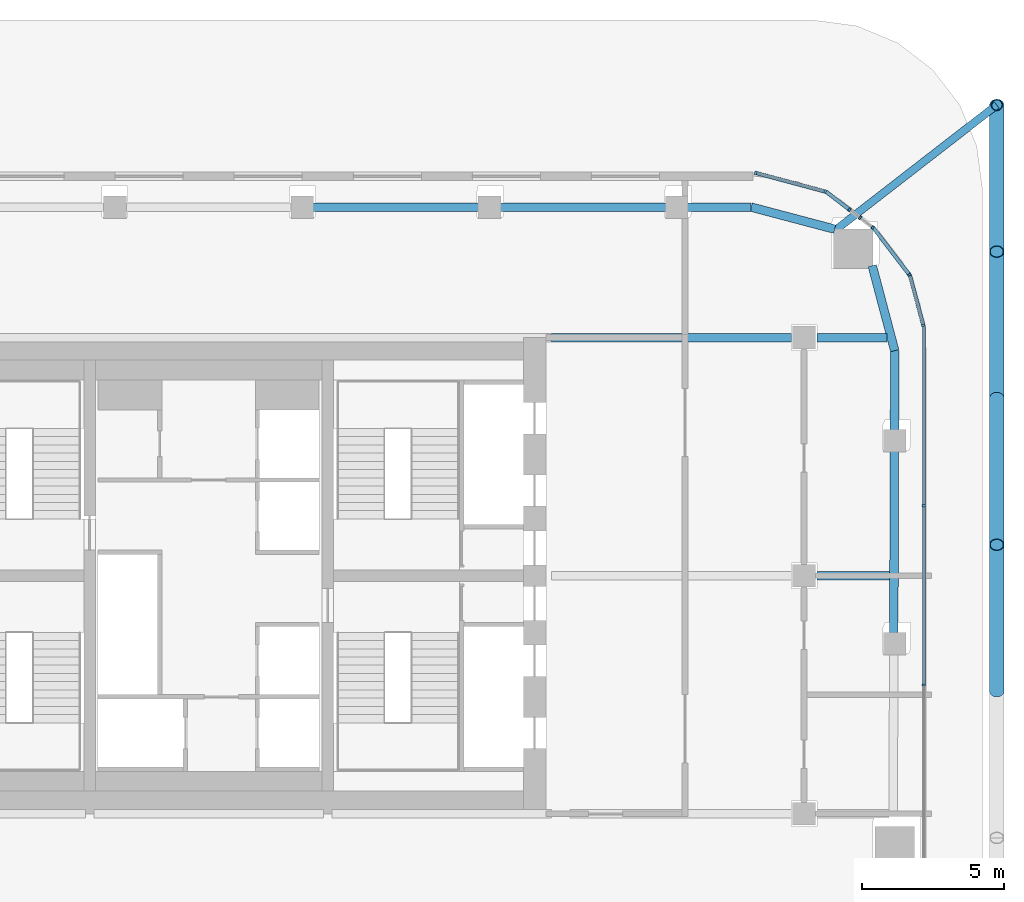
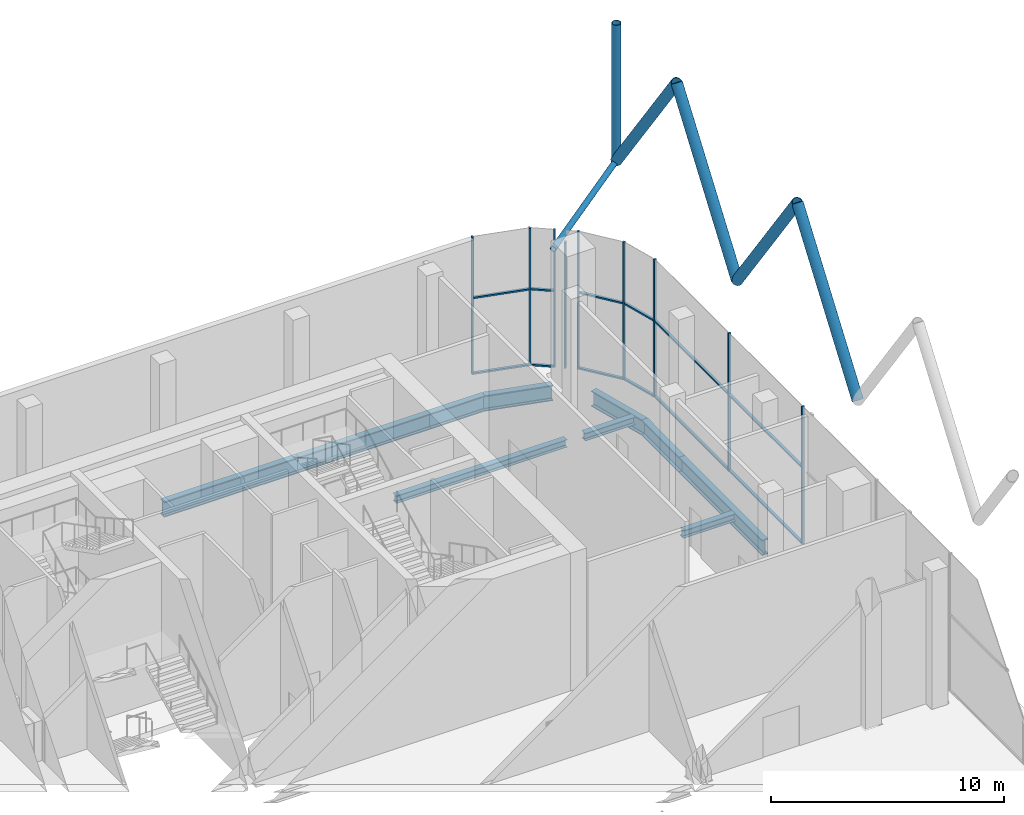
# One storey, part 10 of 25: 27 members, 10 beams, 7 elements without a shape of their own.
"""IFC4 building model written with IfcOpenShell, lengths in metres."""

from ifc_helpers import new_model, si_unit, direction, frame, origin, origin_2d, place, context, subcontext, project, spatial, rectangle, hollow_circle, i_section, extrude, material, layer, layer_set, material_profile, profile_set, type_object, element, aggregate, save


model = new_model("IFC4")

# Units and contexts
model_context = context("Model", 3, precision=1e-05, world=origin(), true_north=direction((0.0, 1.0)))
body_context = subcontext(model_context, "Body", "Model", "MODEL_VIEW")
ifc_project = project(units=[si_unit("LENGTHUNIT", "METRE"), si_unit("AREAUNIT", "SQUARE_METRE"), si_unit("VOLUMEUNIT", "CUBIC_METRE"), si_unit("PLANEANGLEUNIT", "RADIAN"), si_unit("MASSUNIT", "GRAM", prefix="KILO")], contexts=[model_context])

# Site, building, storey
site_placement = place(None, origin())
site = spatial("IfcSite", under=ifc_project, at=site_placement, CompositionType="ELEMENT")
building_placement = place(site_placement, origin())
building = spatial("IfcBuilding", under=site, at=building_placement, Name="Marenta Gate Hotel Tower", CompositionType="ELEMENT")
storey_placement = place(building_placement, frame((0.0, 0.0, 180.5)))
storey = spatial("IfcBuildingStorey", under=building, at=storey_placement, Name="L41", CompositionType="ELEMENT", Elevation=180.5)

# Members
ifc_material_1 = material(Name="Steel S355J2W", Category="steel")
ifc_material_profile_1 = material_profile(ifc_material_1, hollow_circle(Radius=0.203125, WallThickness=0.02490234375, at=origin_2d()), Name="CHS 406.4x25")
ifc_profile_set_1 = profile_set([ifc_material_profile_1], Name="Steel S355J2W")
member_type_1 = type_object("IfcMemberType", Name="Diagrid corner post Z3 CHS 406.4x25", PredefinedType="POST", material=ifc_profile_set_1)
member_1_placement = place(storey_placement, frame((27.800048828125, 25.0, 6.739990234375), z_axis=(0.0, 0.0, 1.0), x_axis=(1.0, 0.0, 0.0)))
element("IfcMember", 1, at=member_1_placement, inside=storey, type_object=member_type_1, Name="L41-DR-1", PredefinedType="POST", context=body_context, shape_type="SweptSolid", body=[
    extrude(hollow_circle(Radius=0.203125, WallThickness=0.02490234375, at=origin_2d()), origin(), (0.0, 0.0, 1.0), 7.199951171875),
])
ifc_material_2 = material(Name="Steel S355J2W", Category="steel")
ifc_material_profile_2 = material_profile(ifc_material_2, hollow_circle(Radius=0.25390625, WallThickness=0.02490234375, at=origin_2d()), Name="CHS 508x25")
ifc_profile_set_2 = profile_set([ifc_material_profile_2], Name="Steel S355J2W")
member_type_2 = type_object("IfcMemberType", Name="Diagrid diagonal Z3 CHS 508x25", PredefinedType="BRACE", material=ifc_profile_set_2)
member_2_placement = place(storey_placement, frame((27.800048828125, 25.0, 6.739990234375), z_axis=(0.0, -0.583260841117, 0.812284919975), x_axis=(1.0, 0.0, 0.0)))
element("IfcMember", 2, at=member_2_placement, inside=storey, type_object=member_type_2, Name="L41-DG-1", PredefinedType="BRACE", context=body_context, shape_type="SweptSolid", body=[
    extrude(hollow_circle(Radius=0.25390625, WallThickness=0.02490234375, at=origin_2d()), origin(), (0.0, 0.0, 1.0), 8.86376953125),
])
member_3_placement = place(storey_placement, frame((27.800048828125, 14.659912109375, 6.739990234375), z_axis=(0.0, 0.583279014058, 0.812271870595), x_axis=(-1.0, 0.0, 0.0)))
element("IfcMember", 3, at=member_3_placement, inside=storey, type_object=member_type_2, Name="L41-DG-2", PredefinedType="BRACE", context=body_context, shape_type="SweptSolid", body=[
    extrude(hollow_circle(Radius=0.25390625, WallThickness=0.02490234375, at=origin_2d()), origin(), (0.0, 0.0, 1.0), 8.864013671875),
])
member_4_placement = place(storey_placement, frame((27.800048828125, 14.659912109375, 6.739990234375), z_axis=(0.0, -0.583260841117, 0.812284919975), x_axis=(1.0, 0.0, 0.0)))
element("IfcMember", 4, at=member_4_placement, inside=storey, type_object=member_type_2, Name="L41-DG-3", PredefinedType="BRACE", context=body_context, shape_type="SweptSolid", body=[
    extrude(hollow_circle(Radius=0.25390625, WallThickness=0.02490234375, at=origin_2d()), origin(), (0.0, 0.0, 1.0), 8.86376953125),
])
member_5_placement = place(storey_placement, frame((27.800048828125, 4.31982421875, 6.739990234375), z_axis=(0.0, 0.583279014058, 0.812271870595), x_axis=(-1.0, 0.0, 0.0)))
element("IfcMember", 5, at=member_5_placement, inside=storey, type_object=member_type_2, Name="L41-DG-4", PredefinedType="BRACE", context=body_context, shape_type="SweptSolid", body=[
    extrude(hollow_circle(Radius=0.25390625, WallThickness=0.02490234375, at=origin_2d()), origin(), (0.0, 0.0, 1.0), 8.864013671875),
])

# Beams
ifc_material_3 = material(Name="Steel S355", Category="steel")
ifc_material_profile_3 = material_profile(ifc_material_3, i_section(OverallWidth=0.302978515625, OverallDepth=0.81396484375, WebThickness=0.030029296875, FlangeThickness=0.052001953125, FilletRadius=0.030029296875, at=origin_2d()), Name="HEM 800")
ifc_profile_set_3 = profile_set([ifc_material_profile_3], Name="Steel S355")
beam_type_1 = type_object("IfcBeamType", Name="Edge beam HEM 800", PredefinedType="SPANDREL", material=ifc_profile_set_3)
beam_1_placement = place(storey_placement, frame((3.261474609375, 21.39990234375, -0.6669921875), z_axis=(1.0, 0.0, 0.0), x_axis=(0.0, 1.0, 0.0)))
element("IfcBeam", 6, at=beam_1_placement, inside=storey, type_object=beam_type_1, Name="L41-EB-16", PredefinedType="SPANDREL", context=body_context, shape_type="SweptSolid", body=[
    extrude(i_section(OverallWidth=0.302978515625, OverallDepth=0.81396484375, WebThickness=0.030029296875, FlangeThickness=0.052001953125, FilletRadius=0.030029296875, at=origin_2d()), origin(), (0.0, 0.0, 1.0), 6.6826171875),
])
beam_2_placement = place(storey_placement, frame((9.864013671875, 21.39990234375, -0.6669921875), z_axis=(1.0, 0.0, 0.0), x_axis=(0.0, 1.0, 0.0)))
element("IfcBeam", 7, at=beam_2_placement, inside=storey, type_object=beam_type_1, Name="L41-EB-17", PredefinedType="SPANDREL", context=body_context, shape_type="SweptSolid", body=[
    extrude(i_section(OverallWidth=0.302978515625, OverallDepth=0.81396484375, WebThickness=0.030029296875, FlangeThickness=0.052001953125, FilletRadius=0.030029296875, at=origin_2d()), origin(), (0.0, 0.0, 1.0), 6.682861328125),
])
beam_3_placement = place(storey_placement, frame((16.466796875, 21.39990234375, -0.6669921875), z_axis=(1.0, 0.0, 0.0), x_axis=(0.0, 1.0, 0.0)))
element("IfcBeam", 8, at=beam_3_placement, inside=storey, type_object=beam_type_1, Name="L41-EB-18", PredefinedType="SPANDREL", context=body_context, shape_type="SweptSolid", body=[
    extrude(i_section(OverallWidth=0.302978515625, OverallDepth=0.81396484375, WebThickness=0.030029296875, FlangeThickness=0.052001953125, FilletRadius=0.030029296875, at=origin_2d()), origin(), (0.0, 0.0, 1.0), 2.667724609375),
])
beam_4_placement = place(storey_placement, frame((19.134521484375, 21.39990234375, -0.6669921875), z_axis=(0.966776252273, -0.255624095189, 0.0), x_axis=(0.255624095189, 0.966776252273, 0.0)))
element("IfcBeam", 9, at=beam_4_placement, inside=storey, type_object=beam_type_1, Name="L41-EB-19", PredefinedType="SPANDREL", context=body_context, shape_type="SweptSolid", body=[
    extrude(i_section(OverallWidth=0.302978515625, OverallDepth=0.81396484375, WebThickness=0.030029296875, FlangeThickness=0.052001953125, FilletRadius=0.030029296875, at=origin_2d()), origin(), (0.0, 0.0, 1.0), 3.049560546875),
])
beam_5_placement = place(storey_placement, frame((23.4072265625, 19.332275390625, -0.6669921875), z_axis=(0.255648013319, -0.966769927794, 0.0), x_axis=(0.966769927794, 0.255648013319, 0.0)))
element("IfcBeam", 10, at=beam_5_placement, inside=storey, type_object=beam_type_1, Name="L41-EB-20", PredefinedType="SPANDREL", context=body_context, shape_type="SweptSolid", body=[
    extrude(i_section(OverallWidth=0.302978515625, OverallDepth=0.81396484375, WebThickness=0.030029296875, FlangeThickness=0.052001953125, FilletRadius=0.030029296875, at=origin_2d()), origin(), (0.0, 0.0, 1.0), 3.100830078125),
])
beam_6_placement = place(storey_placement, frame((24.199951171875, 16.33447265625, -0.6669921875), z_axis=(-0.003338119631, -0.999994428463, 0.0), x_axis=(0.999994428463, -0.003338119631, 0.0)))
element("IfcBeam", 11, at=beam_6_placement, inside=storey, type_object=beam_type_1, Name="L41-EB-21", PredefinedType="SPANDREL", context=body_context, shape_type="SweptSolid", body=[
    extrude(i_section(OverallWidth=0.302978515625, OverallDepth=0.81396484375, WebThickness=0.030029296875, FlangeThickness=0.052001953125, FilletRadius=0.030029296875, at=origin_2d()), origin(), (0.0, 0.0, 1.0), 3.218017578125),
])
beam_7_placement = place(storey_placement, frame((24.189453125, 13.196533203125, -0.6669921875), z_axis=(-0.003307775471, -0.999994529296, 0.0), x_axis=(0.999994529296, -0.003307775471, 0.0)))
element("IfcBeam", 12, at=beam_7_placement, inside=storey, type_object=beam_type_1, Name="L41-EB-22", PredefinedType="SPANDREL", context=body_context, shape_type="SweptSolid", body=[
    extrude(i_section(OverallWidth=0.302978515625, OverallDepth=0.81396484375, WebThickness=0.030029296875, FlangeThickness=0.052001953125, FilletRadius=0.030029296875, at=origin_2d()), origin(), (0.0, 0.0, 1.0), 7.233154296875),
])

# Member
ifc_material_4 = material(Name="Steel S355J2W", Category="steel")
ifc_material_profile_4 = material_profile(ifc_material_4, hollow_circle(Radius=0.136474609375, WallThickness=0.012451171875, at=origin_2d()), Name="CHS 273x12.5")
ifc_profile_set_4 = profile_set([ifc_material_profile_4], Name="Steel S355J2W")
member_type_3 = type_object("IfcMemberType", Name="Floor tie CHS 273x12.5", PredefinedType="STRUT", material=ifc_profile_set_4)
member_6_placement = place(storey_placement, frame((27.800048828125, 25.0, 6.739990234375), z_axis=(-0.790398962363, -0.61259242592, 0.0), x_axis=(0.61259242592, -0.790398962363, 0.0)))
element("IfcMember", 13, at=member_6_placement, inside=storey, type_object=member_type_3, Name="L41-DR-7", PredefinedType="STRUT", context=body_context, shape_type="SweptSolid", body=[
    extrude(hollow_circle(Radius=0.136474609375, WallThickness=0.012451171875, at=origin_2d()), origin(), (0.0, 0.0, 1.0), 7.163330078125),
])

# Beams
ifc_material_5 = material(Name="Steel S355", Category="steel")
ifc_material_profile_5 = material_profile(ifc_material_5, i_section(OverallWidth=0.300048828125, OverallDepth=0.39990234375, WebThickness=0.013427734375, FlangeThickness=0.02392578125, FilletRadius=0.027099609375, at=origin_2d()), Name="HEB 400")
ifc_profile_set_5 = profile_set([ifc_material_profile_5], Name="Steel S355")
beam_type_2 = type_object("IfcBeamType", Name="Girder HEB 400", PredefinedType="BEAM", material=ifc_profile_set_5)
beam_8_placement = place(storey_placement, frame((21.449951171875, 8.39990234375, -0.4599609375), z_axis=(1.0, 0.0, 0.0), x_axis=(0.0, 1.0, 0.0)))
element("IfcBeam", 14, at=beam_8_placement, inside=storey, type_object=beam_type_2, Name="L41-GD-32", PredefinedType="BEAM", context=body_context, shape_type="SweptSolid", body=[
    extrude(i_section(OverallWidth=0.300048828125, OverallDepth=0.39990234375, WebThickness=0.013427734375, FlangeThickness=0.02392578125, FilletRadius=0.027099609375, at=origin_2d()), origin(), (0.0, 0.0, 1.0), 2.572021484375),
])
beam_9_placement = place(storey_placement, frame((12.10009765625, 16.800048828125, -0.4599609375), z_axis=(1.0, 0.0, 0.0), x_axis=(0.0, 1.0, 0.0)))
element("IfcBeam", 15, at=beam_9_placement, inside=storey, type_object=beam_type_2, Name="L41-GD-36", PredefinedType="BEAM", context=body_context, shape_type="SweptSolid", body=[
    extrude(i_section(OverallWidth=0.300048828125, OverallDepth=0.39990234375, WebThickness=0.013427734375, FlangeThickness=0.02392578125, FilletRadius=0.027099609375, at=origin_2d()), origin(), (0.0, 0.0, 1.0), 8.449951171875),
])
beam_10_placement = place(storey_placement, frame((21.449951171875, 16.800048828125, -0.4599609375), z_axis=(1.0, 0.0, 0.0), x_axis=(0.0, 1.0, 0.0)))
element("IfcBeam", 16, at=beam_10_placement, inside=storey, type_object=beam_type_2, Name="L41-GD-37", PredefinedType="BEAM", context=body_context, shape_type="SweptSolid", body=[
    extrude(i_section(OverallWidth=0.300048828125, OverallDepth=0.39990234375, WebThickness=0.013427734375, FlangeThickness=0.02392578125, FilletRadius=0.027099609375, at=origin_2d()), origin(), (0.0, 0.0, 1.0), 2.47021484375),
])

# Curtain wall, members
ifc_material_6 = material(Name="Tinted insulated glass in bronze anodised frame", Category="glass")
ifc_layer = layer(ifc_material_6, 0.1298828125)
ifc_layer_set = layer_set([ifc_layer], Name="Tinted insulated glass in bronze anodised frame")
curtain_wall_type = type_object("IfcCurtainWallType", Name="Sky lobby glazing CW2", PredefinedType="NOTDEFINED", material=ifc_layer_set)
curtain_wall_1_placement = place(storey_placement, origin())
curtain_wall_1 = element("IfcCurtainWall", 17, at=curtain_wall_1_placement, inside=storey, type_object=curtain_wall_type, Name="CW2 run G19", PredefinedType="NOTDEFINED")
ifc_material_7 = material(Name="Bronze anodised aluminium", Category="aluminium")
ifc_material_profile_6 = material_profile(ifc_material_7, rectangle(XDim=0.1298828125, YDim=0.080078125, at=origin_2d()), Name="Mullion CW2 80x130 bronze anodised aluminium")
ifc_profile_set_6 = profile_set([ifc_material_profile_6], Name="Bronze anodised aluminium")
member_type_4 = type_object("IfcMemberType", Name="Mullion CW2 80x130 bronze anodised aluminium", PredefinedType="MULLION", material=ifc_profile_set_6)
member_7_placement = place(storey_placement, frame((25.218994140625, 4.546875, 0.0), z_axis=(0.0, 0.0, 1.0), x_axis=(-1.0, 0.0, 0.0)))
member_7 = element("IfcMember", 18, at=member_7_placement, type_object=member_type_4, Name="CW2 mullion 5", PredefinedType="MULLION", context=body_context, shape_type="SweptSolid", body=[
    extrude(rectangle(XDim=0.1298828125, YDim=0.080078125, at=origin_2d()), origin(), (0.0, 0.0, 1.0), 7.199951171875),
])
member_8_placement = place(storey_placement, frame((25.218994140625, 10.86962890625, 0.0), z_axis=(0.0, 0.0, 1.0), x_axis=(-1.0, 0.0, 0.0)))
member_8 = element("IfcMember", 19, at=member_8_placement, type_object=member_type_4, Name="CW2 mullion 6", PredefinedType="MULLION", context=body_context, shape_type="SweptSolid", body=[
    extrude(rectangle(XDim=0.1298828125, YDim=0.080078125, at=origin_2d()), origin(), (0.0, 0.0, 1.0), 7.199951171875),
])

# Curtain wall, member
curtain_wall_2_placement = place(storey_placement, origin())
curtain_wall_2 = element("IfcCurtainWall", 20, at=curtain_wall_2_placement, inside=storey, type_object=curtain_wall_type, Name="CW2 run G20", PredefinedType="NOTDEFINED")
member_9_placement = place(storey_placement, frame((25.208740234375, 17.231201171875, 0.0), z_axis=(0.0, 0.0, 1.0), x_axis=(-0.965931934518, -0.258796247805, 0.0)))
member_9 = element("IfcMember", 21, at=member_9_placement, type_object=member_type_4, Name="CW2 mullion 1", PredefinedType="MULLION", context=body_context, shape_type="SweptSolid", body=[
    extrude(rectangle(XDim=0.1298828125, YDim=0.080078125, at=origin_2d()), origin(), (0.0, 0.0, 1.0), 7.199951171875),
])

curtain_wall_3_placement = place(storey_placement, origin())
curtain_wall_3 = element("IfcCurtainWall", 22, at=curtain_wall_3_placement, inside=storey, type_object=curtain_wall_type, Name="CW2 run G21", PredefinedType="NOTDEFINED")
member_10_placement = place(storey_placement, frame((24.71435546875, 19.0166015625, 0.0), z_axis=(0.0, 0.0, 1.0), x_axis=(-0.793332783437, -0.608788218287, 0.0)))
member_10 = element("IfcMember", 23, at=member_10_placement, type_object=member_type_4, Name="CW2 mullion 1", PredefinedType="MULLION", context=body_context, shape_type="SweptSolid", body=[
    extrude(rectangle(XDim=0.1298828125, YDim=0.080078125, at=origin_2d()), origin(), (0.0, 0.0, 1.0), 7.199951171875),
])

curtain_wall_4_placement = place(storey_placement, origin())
curtain_wall_4 = element("IfcCurtainWall", 24, at=curtain_wall_4_placement, inside=storey, type_object=curtain_wall_type, Name="CW2 run G22", PredefinedType="NOTDEFINED")
member_11_placement = place(storey_placement, frame((23.424560546875, 20.6806640625, 0.0), z_axis=(0.0, 0.0, 1.0), x_axis=(-0.608751364801, -0.793361062728, 0.0)))
member_11 = element("IfcMember", 25, at=member_11_placement, type_object=member_type_4, Name="CW2 mullion 1", PredefinedType="MULLION", context=body_context, shape_type="SweptSolid", body=[
    extrude(rectangle(XDim=0.1298828125, YDim=0.080078125, at=origin_2d()), origin(), (0.0, 0.0, 1.0), 7.199951171875),
])
aggregate(curtain_wall_4, [member_11])

curtain_wall_5_placement = place(storey_placement, origin())
curtain_wall_5 = element("IfcCurtainWall", 26, at=curtain_wall_5_placement, inside=storey, type_object=curtain_wall_type, Name="CW2 run G23", PredefinedType="NOTDEFINED")
member_12_placement = place(storey_placement, frame((22.9765625, 21.024169921875, 0.0), z_axis=(0.0, 0.0, 1.0), x_axis=(-0.608843780404, -0.793290143052, 0.0)))
member_12 = element("IfcMember", 27, at=member_12_placement, type_object=member_type_4, Name="CW2 mullion 1", PredefinedType="MULLION", context=body_context, shape_type="SweptSolid", body=[
    extrude(rectangle(XDim=0.1298828125, YDim=0.080078125, at=origin_2d()), origin(), (0.0, 0.0, 1.0), 6.6005859375),
])
aggregate(curtain_wall_5, [member_12])

curtain_wall_6_placement = place(storey_placement, origin())
curtain_wall_6 = element("IfcCurtainWall", 28, at=curtain_wall_6_placement, inside=storey, type_object=curtain_wall_type, Name="CW2 run G24", PredefinedType="NOTDEFINED")
member_13_placement = place(storey_placement, frame((22.60498046875, 21.309326171875, 0.0), z_axis=(0.0, 0.0, 1.0), x_axis=(-0.608783351533, -0.793336518065, 0.0)))
member_13 = element("IfcMember", 29, at=member_13_placement, type_object=member_type_4, Name="CW2 mullion 1", PredefinedType="MULLION", context=body_context, shape_type="SweptSolid", body=[
    extrude(rectangle(XDim=0.1298828125, YDim=0.080078125, at=origin_2d()), origin(), (0.0, 0.0, 1.0), 7.199951171875),
])

# Curtain wall, members
curtain_wall_7_placement = place(storey_placement, origin())
curtain_wall_7 = element("IfcCurtainWall", 30, at=curtain_wall_7_placement, inside=storey, type_object=curtain_wall_type, Name="CW2 run G25", PredefinedType="NOTDEFINED")
member_14_placement = place(storey_placement, frame((21.74609375, 21.94921875, 0.0), z_axis=(0.0, 0.0, 1.0), x_axis=(-0.258780667069, -0.965936108835, 0.0)))
member_14 = element("IfcMember", 31, at=member_14_placement, type_object=member_type_4, Name="CW2 mullion 1", PredefinedType="MULLION", context=body_context, shape_type="SweptSolid", body=[
    extrude(rectangle(XDim=0.1298828125, YDim=0.080078125, at=origin_2d()), origin(), (0.0, 0.0, 1.0), 7.199951171875),
])
member_15_placement = place(storey_placement, frame((19.29638671875, 22.60546875, 0.0), z_axis=(0.0, 0.0, 1.0), x_axis=(-0.258780667069, -0.965936108835, 0.0)))
member_15 = element("IfcMember", 32, at=member_15_placement, type_object=member_type_4, Name="CW2 mullion 2", PredefinedType="MULLION", context=body_context, shape_type="SweptSolid", body=[
    extrude(rectangle(XDim=0.1298828125, YDim=0.080078125, at=origin_2d()), origin(), (0.0, 0.0, 1.0), 7.199951171875),
])

# Member
ifc_material_8 = material(Name="Bronze anodised aluminium", Category="aluminium")
ifc_material_profile_7 = material_profile(ifc_material_8, rectangle(XDim=0.1298828125, YDim=0.080078125, at=origin_2d()), Name="Transom CW2 80x130 bronze anodised aluminium")
ifc_profile_set_7 = profile_set([ifc_material_profile_7], Name="Bronze anodised aluminium")
member_type_5 = type_object("IfcMemberType", Name="Transom CW2 80x130 bronze anodised aluminium", PredefinedType="USERDEFINED", material=ifc_profile_set_7)
member_16_placement = place(storey_placement, frame((25.218994140625, 4.5869140625, 0.0400390625), z_axis=(0.0, 1.0, 0.0), x_axis=(-1.0, 0.0, 0.0)))
member_16 = element("IfcMember", 33, at=member_16_placement, type_object=member_type_5, Name="CW2 transom 5.1", ObjectType="TRANSOM", PredefinedType="USERDEFINED", context=body_context, shape_type="SweptSolid", body=[
    extrude(rectangle(XDim=0.1298828125, YDim=0.080078125, at=origin_2d()), origin(), (0.0, 0.0, 1.0), 6.24267578125),
])

member_17_placement = place(storey_placement, frame((25.218994140625, 4.5869140625, 4.0), z_axis=(0.0, 1.0, 0.0), x_axis=(-1.0, 0.0, 0.0)))
member_17 = element("IfcMember", 34, at=member_17_placement, type_object=member_type_5, Name="CW2 transom 5.2", ObjectType="TRANSOM", PredefinedType="USERDEFINED", context=body_context, shape_type="SweptSolid", body=[
    extrude(rectangle(XDim=0.1298828125, YDim=0.080078125, at=origin_2d()), origin(), (0.0, 0.0, 1.0), 6.24267578125),
])

member_18_placement = place(storey_placement, frame((25.218994140625, 10.90966796875, 0.0400390625), z_axis=(0.0, 1.0, 0.0), x_axis=(-1.0, 0.0, 0.0)))
member_18 = element("IfcMember", 35, at=member_18_placement, type_object=member_type_5, Name="CW2 transom 6.1", ObjectType="TRANSOM", PredefinedType="USERDEFINED", context=body_context, shape_type="SweptSolid", body=[
    extrude(rectangle(XDim=0.1298828125, YDim=0.080078125, at=origin_2d()), origin(), (0.0, 0.0, 1.0), 6.28271484375),
])

member_19_placement = place(storey_placement, frame((25.218994140625, 10.90966796875, 4.0), z_axis=(0.0, 1.0, 0.0), x_axis=(-1.0, 0.0, 0.0)))
member_19 = element("IfcMember", 36, at=member_19_placement, type_object=member_type_5, Name="CW2 transom 6.2", ObjectType="TRANSOM", PredefinedType="USERDEFINED", context=body_context, shape_type="SweptSolid", body=[
    extrude(rectangle(XDim=0.1298828125, YDim=0.080078125, at=origin_2d()), origin(), (0.0, 0.0, 1.0), 6.28271484375),
])

aggregate(curtain_wall_1, [member_7, member_8, member_16, member_17, member_18, member_19])

member_20_placement = place(storey_placement, frame((25.1982421875, 17.269775390625, 0.0400390625), z_axis=(-0.258775031761, 0.965937618554, 0.0), x_axis=(-0.965937618554, -0.258775031761, 0.0)))
member_20 = element("IfcMember", 37, at=member_20_placement, type_object=member_type_5, Name="CW2 transom 1.1", ObjectType="TRANSOM", PredefinedType="USERDEFINED", context=body_context, shape_type="SweptSolid", body=[
    extrude(rectangle(XDim=0.1298828125, YDim=0.080078125, at=origin_2d()), origin(), (0.0, 0.0, 1.0), 1.775634765625),
])

member_21_placement = place(storey_placement, frame((25.1982421875, 17.269775390625, 4.0), z_axis=(-0.258775031761, 0.965937618554, 0.0), x_axis=(-0.965937618554, -0.258775031761, 0.0)))
member_21 = element("IfcMember", 38, at=member_21_placement, type_object=member_type_5, Name="CW2 transom 1.2", ObjectType="TRANSOM", PredefinedType="USERDEFINED", context=body_context, shape_type="SweptSolid", body=[
    extrude(rectangle(XDim=0.1298828125, YDim=0.080078125, at=origin_2d()), origin(), (0.0, 0.0, 1.0), 1.775634765625),
])

aggregate(curtain_wall_2, [member_9, member_20, member_21])

member_22_placement = place(storey_placement, frame((24.690185546875, 19.04833984375, 0.0400390625), z_axis=(-0.608790576947, 0.793330973441, 0.0), x_axis=(-0.793330973441, -0.608790576947, 0.0)))
member_22 = element("IfcMember", 39, at=member_22_placement, type_object=member_type_5, Name="CW2 transom 1.1", ObjectType="TRANSOM", PredefinedType="USERDEFINED", context=body_context, shape_type="SweptSolid", body=[
    extrude(rectangle(XDim=0.1298828125, YDim=0.080078125, at=origin_2d()), origin(), (0.0, 0.0, 1.0), 2.02685546875),
])

member_23_placement = place(storey_placement, frame((24.690185546875, 19.04833984375, 4.0), z_axis=(-0.608790576947, 0.793330973441, 0.0), x_axis=(-0.793330973441, -0.608790576947, 0.0)))
member_23 = element("IfcMember", 40, at=member_23_placement, type_object=member_type_5, Name="CW2 transom 1.2", ObjectType="TRANSOM", PredefinedType="USERDEFINED", context=body_context, shape_type="SweptSolid", body=[
    extrude(rectangle(XDim=0.1298828125, YDim=0.080078125, at=origin_2d()), origin(), (0.0, 0.0, 1.0), 2.02685546875),
])

aggregate(curtain_wall_3, [member_10, member_22, member_23])

member_24_placement = place(storey_placement, frame((22.5732421875, 21.333740234375, 0.0400390625), z_axis=(-0.793317604723, 0.608807997678, 0.0), x_axis=(-0.608807997678, -0.793317604723, 0.0)))
member_24 = element("IfcMember", 41, at=member_24_placement, type_object=member_type_5, Name="CW2 transom 1.1", ObjectType="TRANSOM", PredefinedType="USERDEFINED", context=body_context, shape_type="SweptSolid", body=[
    extrude(rectangle(XDim=0.1298828125, YDim=0.080078125, at=origin_2d()), origin(), (0.0, 0.0, 1.0), 0.99365234375),
])

member_25_placement = place(storey_placement, frame((22.5732421875, 21.333740234375, 4.0), z_axis=(-0.793317604723, 0.608807997678, 0.0), x_axis=(-0.608807997678, -0.793317604723, 0.0)))
member_25 = element("IfcMember", 42, at=member_25_placement, type_object=member_type_5, Name="CW2 transom 1.2", ObjectType="TRANSOM", PredefinedType="USERDEFINED", context=body_context, shape_type="SweptSolid", body=[
    extrude(rectangle(XDim=0.1298828125, YDim=0.080078125, at=origin_2d()), origin(), (0.0, 0.0, 1.0), 0.99365234375),
])

aggregate(curtain_wall_6, [member_13, member_24, member_25])

member_26_placement = place(storey_placement, frame((21.70751953125, 21.95947265625, 0.0400390625), z_axis=(-0.965924093112, 0.258825513322, 0.0), x_axis=(-0.258825513322, -0.965924093112, 0.0)))
member_26 = element("IfcMember", 43, at=member_26_placement, type_object=member_type_5, Name="CW2 transom 1.1", ObjectType="TRANSOM", PredefinedType="USERDEFINED", context=body_context, shape_type="SweptSolid", body=[
    extrude(rectangle(XDim=0.1298828125, YDim=0.080078125, at=origin_2d()), origin(), (0.0, 0.0, 1.0), 2.456298828125),
])

member_27_placement = place(storey_placement, frame((21.70751953125, 21.95947265625, 4.0), z_axis=(-0.965924093112, 0.258825513322, 0.0), x_axis=(-0.258825513322, -0.965924093112, 0.0)))
member_27 = element("IfcMember", 44, at=member_27_placement, type_object=member_type_5, Name="CW2 transom 1.2", ObjectType="TRANSOM", PredefinedType="USERDEFINED", context=body_context, shape_type="SweptSolid", body=[
    extrude(rectangle(XDim=0.1298828125, YDim=0.080078125, at=origin_2d()), origin(), (0.0, 0.0, 1.0), 2.456298828125),
])

aggregate(curtain_wall_7, [member_14, member_15, member_26, member_27])

save(model, "model.ifc")
